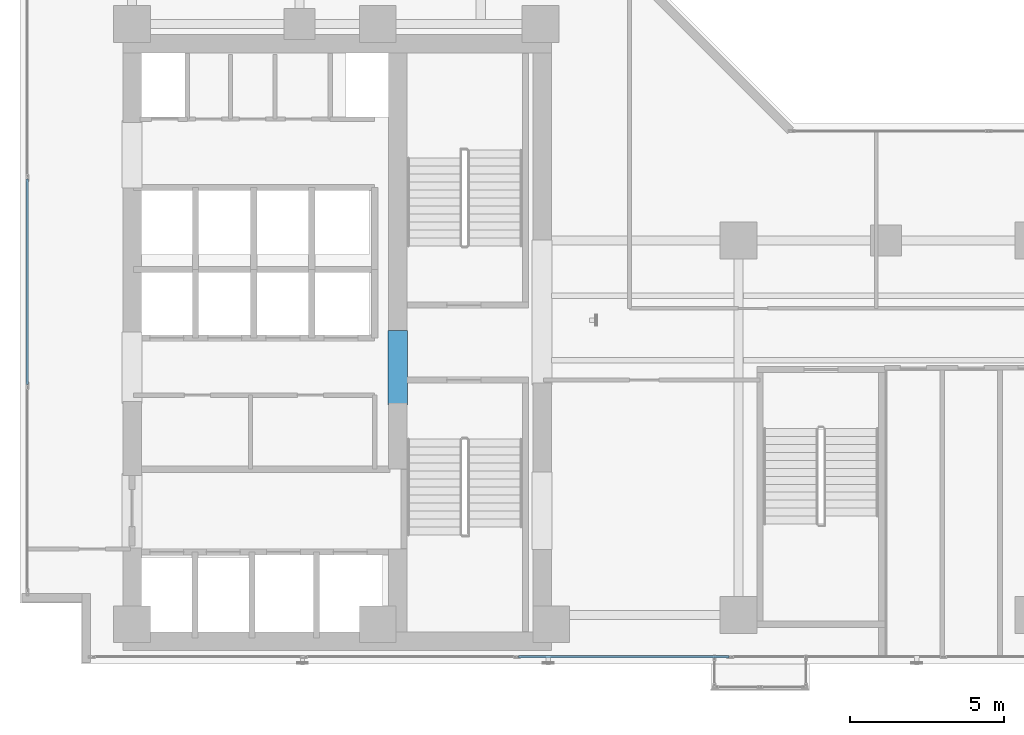
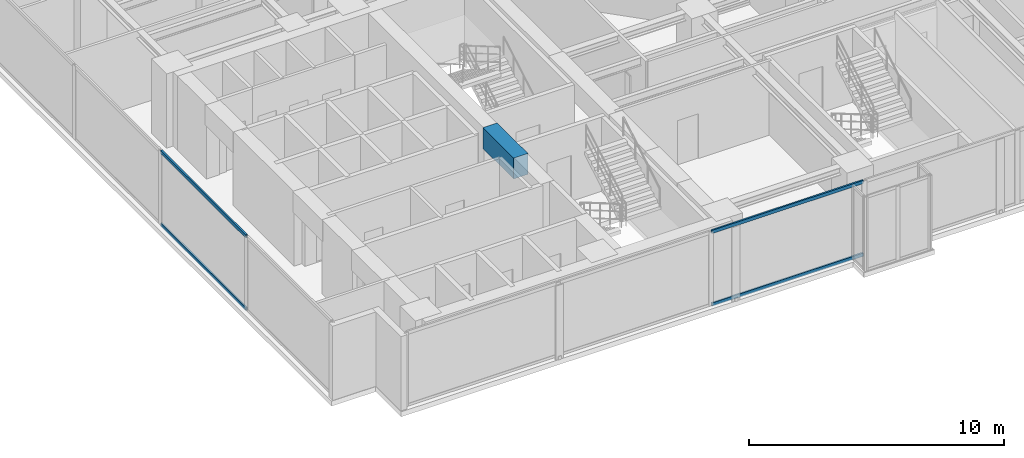
# One storey, part 3 of 24: 4 members, 1 beam, 2 elements without a shape of their own.
"""IFC4 building model written with IfcOpenShell, lengths in metres."""

from ifc_helpers import new_model, si_unit, direction, frame, origin, origin_with_axes, origin_2d, place, context, subcontext, project, spatial, rectangle, hollow_rectangle, extrude, source, transform, mapped, material, layer, layer_set, material_profile, profile_set, type_object, element, aggregate, save


model = new_model("IFC4")

# Units and contexts
model_context = context("Model", 3, precision=1e-05, world=origin(), true_north=direction((0.0, 1.0)))
body_context = subcontext(model_context, "Body", "Model", "MODEL_VIEW")
ifc_project = project(units=[si_unit("LENGTHUNIT", "METRE"), si_unit("AREAUNIT", "SQUARE_METRE"), si_unit("VOLUMEUNIT", "CUBIC_METRE"), si_unit("PLANEANGLEUNIT", "RADIAN"), si_unit("MASSUNIT", "GRAM", prefix="KILO")], contexts=[model_context])

# Site, building, storey
site_placement = place(None, origin())
site = spatial("IfcSite", under=ifc_project, at=site_placement, CompositionType="ELEMENT")
building_placement = place(site_placement, origin())
building = spatial("IfcBuilding", under=site, at=building_placement, Name="Kolvaren Waterfront Exchange", CompositionType="ELEMENT")
storey_placement = place(building_placement, frame((0.0, 0.0, 169.0)))
storey = spatial("IfcBuildingStorey", under=building, at=storey_placement, Name="L43", CompositionType="ELEMENT", Elevation=169.0)

# Beam
ifc_material_1 = material(Name="Concrete C60/75", Category="concrete")
ifc_material_profile_1 = material_profile(ifc_material_1, rectangle(XDim=0.64990234375, YDim=1.0, at=origin_2d()), Name="RC-CB-1000x650")
ifc_profile_set_1 = profile_set([ifc_material_profile_1], Name="Concrete C60/75")
beam_type = type_object("IfcBeamType", Name="STR-CB-1000", PredefinedType="SPANDREL", material=ifc_profile_set_1)
beam_placement = place(storey_placement, frame((16.10009765625, 12.0400390625, 3.06005859375), z_axis=(0.0, 1.0, 0.0), x_axis=(-1.0, 0.0, 0.0)))
element("IfcBeam", 1, at=beam_placement, inside=storey, type_object=beam_type, Name="L43 core coupling beam 6", PredefinedType="SPANDREL", context=body_context, shape_type="SweptSolid", body=[
    extrude(rectangle(XDim=0.64990234375, YDim=1.0, at=origin_2d()), origin(), (0.0, 0.0, 1.0), 2.419921875),
])

# Curtain wall, members
ifc_material_2 = material(Name="Anodised bronze aluminium 6063-T6", Category="aluminium")
ifc_layer_1 = layer(ifc_material_2, 0.219970703125, Name="Anodised bronze aluminium 6063-T6")
ifc_layer_set_1 = layer_set([ifc_layer_1], Name="Anodised bronze aluminium 6063-T6")
curtain_wall_type_1 = type_object("IfcCurtainWallType", Name="ARC-CW-SYS1", PredefinedType="USERDEFINED", material=ifc_layer_set_1)
curtain_wall_1_placement = place(storey_placement, origin())
curtain_wall_1 = element("IfcCurtainWall", 2, at=curtain_wall_1_placement, inside=storey, type_object=curtain_wall_type_1, Name="L43 stick curtain wall CW1 (CW-L43-S)", ObjectType="STICK CURTAIN WALL", PredefinedType="USERDEFINED")
ifc_material_3 = material(Name="Anodised aluminium 6063-T6", Category="aluminium")
ifc_material_profile_2 = material_profile(ifc_material_3, hollow_rectangle(XDim=0.074951171875, YDim=0.159912109375, WallThickness=0.00439453125, at=origin_2d()), Name="ALU-TRN-160x75x4.5")
ifc_profile_set_2 = profile_set([ifc_material_profile_2], Name="Anodised aluminium 6063-T6")
member_type = type_object("IfcMemberType", Name="ARC-CWT-160", PredefinedType="USERDEFINED", material=ifc_profile_set_2)
shared_shape_1 = source(origin_with_axes(), body_context, "Body", "SweptSolid", [
    extrude(hollow_rectangle(XDim=0.074951171875, YDim=0.159912109375, WallThickness=0.00439453125, at=origin_2d()), origin(), (0.0, 0.0, 1.0), 6.863037109375),
])
member_1_placement = place(storey_placement, frame((20.025634765625, 3.840087890625, 0.03759765625), z_axis=(1.0, 0.0, 0.0), x_axis=(0.0, 1.0, 0.0)))
member_1 = element("IfcMember", 3, at=member_1_placement, type_object=member_type, Name="CW1 transom 3.1", ObjectType="TRANSOM", PredefinedType="USERDEFINED", context=body_context, shape_type="MappedRepresentation", body=[
    mapped(shared_shape_1, transform((0.0, 0.0, 0.0), x_axis=(1.0, 0.0, 0.0), y_axis=(0.0, 1.0, 0.0), z_axis=(0.0, 0.0, 1.0), scale=1.0)),
])
member_2_placement = place(storey_placement, frame((20.025634765625, 3.840087890625, 3.5224609375), z_axis=(1.0, 0.0, 0.0), x_axis=(0.0, 1.0, 0.0)))
member_2 = element("IfcMember", 4, at=member_2_placement, type_object=member_type, Name="CW1 transom 3.2", ObjectType="TRANSOM", PredefinedType="USERDEFINED", context=body_context, shape_type="MappedRepresentation", body=[
    mapped(shared_shape_1, transform((0.0, 0.0, 0.0), x_axis=(1.0, 0.0, 0.0), y_axis=(0.0, 1.0, 0.0), z_axis=(0.0, 0.0, 1.0), scale=1.0)),
])
aggregate(curtain_wall_1, [member_1, member_2])

ifc_layer_2 = layer(ifc_material_3, 0.219970703125, Name="Anodised aluminium 6063-T6")
ifc_layer_set_2 = layer_set([ifc_layer_2], Name="Anodised aluminium 6063-T6")
curtain_wall_type_2 = type_object("IfcCurtainWallType", Name="ARC-CW-SYS2", PredefinedType="USERDEFINED", material=ifc_layer_set_2)
curtain_wall_2_placement = place(storey_placement, origin())
curtain_wall_2 = element("IfcCurtainWall", 5, at=curtain_wall_2_placement, inside=storey, type_object=curtain_wall_type_2, Name="L43 stick curtain wall CW2 (CW-L43-W)", ObjectType="STICK CURTAIN WALL", PredefinedType="USERDEFINED")
shared_shape_2 = source(origin_with_axes(), body_context, "Body", "SweptSolid", [
    extrude(hollow_rectangle(XDim=0.074951171875, YDim=0.159912109375, WallThickness=0.00439453125, at=origin_2d()), origin(), (0.0, 0.0, 1.0), 6.6865234375),
])
member_3_placement = place(storey_placement, frame((4.0400390625, 12.706787109375, 0.03759765625), z_axis=(0.0, 1.0, 0.0), x_axis=(-1.0, 0.0, 0.0)))
member_3 = element("IfcMember", 6, at=member_3_placement, type_object=member_type, Name="CW2 transom 2.1", ObjectType="TRANSOM", PredefinedType="USERDEFINED", context=body_context, shape_type="MappedRepresentation", body=[
    mapped(shared_shape_2, transform((0.0, 0.0, 0.0), x_axis=(1.0, 0.0, 0.0), y_axis=(0.0, 1.0, 0.0), z_axis=(0.0, 0.0, 1.0), scale=1.0)),
])
member_4_placement = place(storey_placement, frame((4.0400390625, 12.706787109375, 3.5224609375), z_axis=(0.0, 1.0, 0.0), x_axis=(-1.0, 0.0, 0.0)))
member_4 = element("IfcMember", 7, at=member_4_placement, type_object=member_type, Name="CW2 transom 2.2", ObjectType="TRANSOM", PredefinedType="USERDEFINED", context=body_context, shape_type="MappedRepresentation", body=[
    mapped(shared_shape_2, transform((0.0, 0.0, 0.0), x_axis=(1.0, 0.0, 0.0), y_axis=(0.0, 1.0, 0.0), z_axis=(0.0, 0.0, 1.0), scale=1.0)),
])
aggregate(curtain_wall_2, [member_3, member_4])

save(model, "model.ifc")
